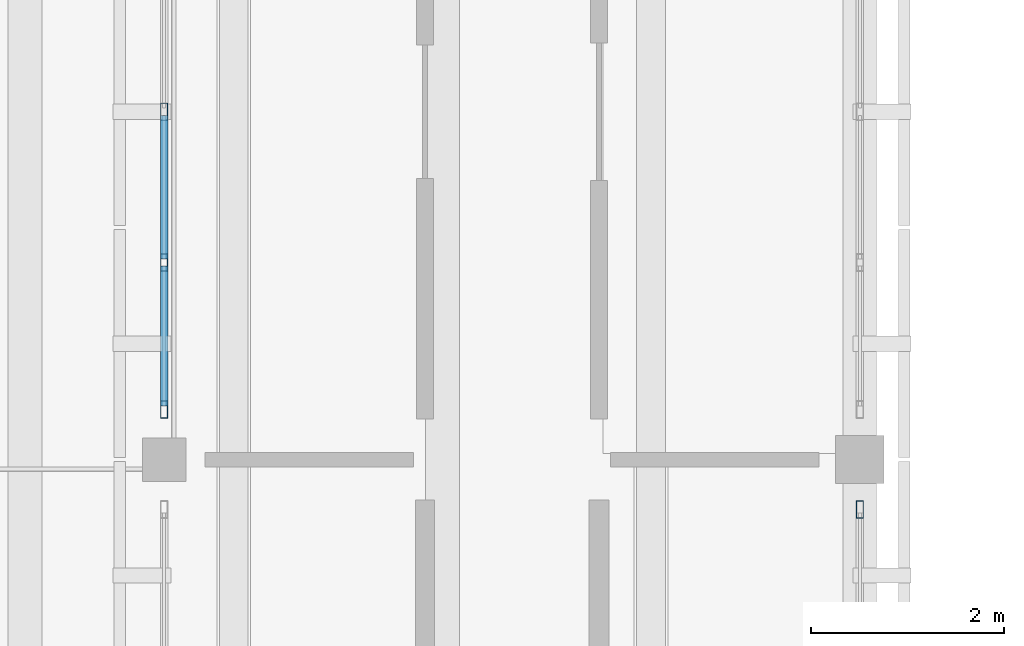
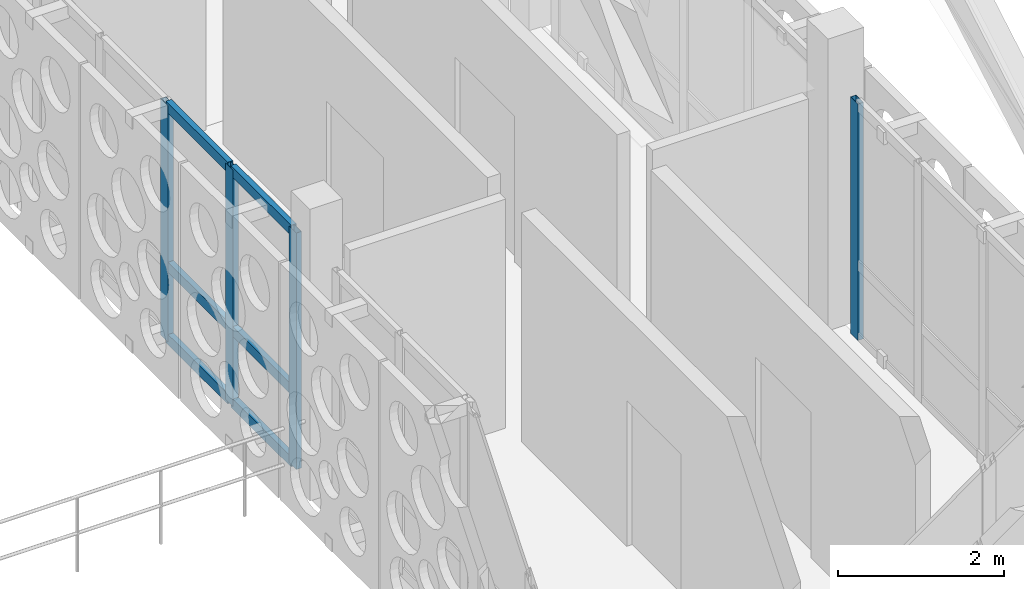
# One storey, part 43 of 171: 10 members, 2 elements without a shape of their own.
"""IFC4 building model written with IfcOpenShell, lengths in metres."""

from ifc_helpers import new_model, si_unit, direction, frame, origin, origin_2d, place, context, subcontext, project, spatial, hollow_rectangle, extrude, material, material_profile, profile_set, type_object, element, aggregate, save


model = new_model("IFC4")

# Units and contexts
model_context = context("Model", 3, precision=1e-05, world=origin(), true_north=direction((0.0, 1.0)))
body_context = subcontext(model_context, "Body", "Model", "MODEL_VIEW")
ifc_project = project(units=[si_unit("LENGTHUNIT", "METRE"), si_unit("AREAUNIT", "SQUARE_METRE"), si_unit("VOLUMEUNIT", "CUBIC_METRE"), si_unit("PLANEANGLEUNIT", "RADIAN"), si_unit("MASSUNIT", "GRAM", prefix="KILO")], contexts=[model_context])

# Site, building, storey
site_placement = place(None, origin())
site = spatial("IfcSite", under=ifc_project, at=site_placement, CompositionType="ELEMENT")
building_placement = place(site_placement, origin())
building = spatial("IfcBuilding", under=site, at=building_placement, Name="Aldebral Square Health Centre", CompositionType="ELEMENT")
storey_placement = place(building_placement, frame((0.0, 0.0, 4.5)))
storey = spatial("IfcBuildingStorey", under=building, at=storey_placement, Name="L01", CompositionType="ELEMENT", Elevation=4.5)

# Curtain wall, member
ifc_material_1 = material(Name="Aluminium and low-E solar glass", Category="aluminium")
curtain_wall_type = type_object("IfcCurtainWallType", Name="CW-HALL-SYS", PredefinedType="USERDEFINED", material=ifc_material_1)
curtain_wall_1_placement = place(storey_placement, origin())
curtain_wall_1 = element("IfcCurtainWall", 1, at=curtain_wall_1_placement, inside=storey, type_object=curtain_wall_type, Name="L01 V1 hall curtain wall L01-V1-14-10-E", ObjectType="HALL_CURTAIN_WALL", PredefinedType="USERDEFINED")
ifc_material_2 = material(Name="Anodised aluminium mullion", Category="aluminium")
ifc_material_profile_1 = material_profile(ifc_material_2, hollow_rectangle(XDim=0.074951171875, YDim=0.179931640625, WallThickness=0.00390625, at=origin_2d()), Name="CWM 75x180x4")
ifc_profile_set_1 = profile_set([ifc_material_profile_1], Name="Anodised aluminium mullion")
member_type_1 = type_object("IfcMemberType", Name="CWM-STD", PredefinedType="MULLION", material=ifc_profile_set_1)
member_1_placement = place(storey_placement, frame((108.0, 78.6826171875, 0.0), z_axis=(0.0, 0.0, 1.0), x_axis=(-1.0, 0.0, 0.0)))
member_1 = element("IfcMember", 2, at=member_1_placement, type_object=member_type_1, Name="CW2 mullion 5", PredefinedType="MULLION", context=body_context, shape_type="SweptSolid", body=[
    extrude(hollow_rectangle(XDim=0.074951171875, YDim=0.179931640625, WallThickness=0.00390625, at=origin_2d()), origin(), (0.0, 0.0, 1.0), 3.469970703125),
])
aggregate(curtain_wall_1, [member_1])

# Curtain wall, members
curtain_wall_2_placement = place(storey_placement, origin())
curtain_wall_2 = element("IfcCurtainWall", 3, at=curtain_wall_2_placement, inside=storey, type_object=curtain_wall_type, Name="L01 V1 hall curtain wall L01-V1-14-11-W", ObjectType="HALL_CURTAIN_WALL", PredefinedType="USERDEFINED")
member_2_placement = place(storey_placement, frame((100.800048828125, 82.800048828125, 0.0), z_axis=(0.0, 0.0, 1.0), x_axis=(1.0, 0.0, 0.0)))
member_2 = element("IfcMember", 4, at=member_2_placement, type_object=member_type_1, Name="CW2 mullion 3", PredefinedType="MULLION", context=body_context, shape_type="SweptSolid", body=[
    extrude(hollow_rectangle(XDim=0.074951171875, YDim=0.179931640625, WallThickness=0.00390625, at=origin_2d()), origin(), (0.0, 0.0, 1.0), 3.469970703125),
])
member_3_placement = place(storey_placement, frame((100.800048828125, 81.239990234375, 0.0), z_axis=(0.0, 0.0, 1.0), x_axis=(1.0, 0.0, 0.0)))
member_3 = element("IfcMember", 5, at=member_3_placement, type_object=member_type_1, Name="CW2 mullion 4", PredefinedType="MULLION", context=body_context, shape_type="SweptSolid", body=[
    extrude(hollow_rectangle(XDim=0.074951171875, YDim=0.179931640625, WallThickness=0.00390625, at=origin_2d()), origin(), (0.0, 0.0, 1.0), 3.469970703125),
])
member_4_placement = place(storey_placement, frame((100.800048828125, 79.717529296875, 0.0), z_axis=(0.0, 0.0, 1.0), x_axis=(1.0, 0.0, 0.0)))
member_4 = element("IfcMember", 6, at=member_4_placement, type_object=member_type_1, Name="CW2 mullion 5", PredefinedType="MULLION", context=body_context, shape_type="SweptSolid", body=[
    extrude(hollow_rectangle(XDim=0.074951171875, YDim=0.179931640625, WallThickness=0.00390625, at=origin_2d()), origin(), (0.0, 0.0, 1.0), 3.469970703125),
])
ifc_material_3 = material(Name="Anodised aluminium transom", Category="aluminium")
ifc_material_profile_2 = material_profile(ifc_material_3, hollow_rectangle(XDim=0.074951171875, YDim=0.14990234375, WallThickness=0.00390625, at=origin_2d()), Name="CWT 75x150x4")
ifc_profile_set_2 = profile_set([ifc_material_profile_2], Name="Anodised aluminium transom")
member_type_2 = type_object("IfcMemberType", Name="CWT-STD", PredefinedType="USERDEFINED", material=ifc_profile_set_2)
member_5_placement = place(storey_placement, frame((100.800048828125, 82.762451171875, 0.03759765625), z_axis=(0.0, -1.0, 0.0), x_axis=(1.0, 0.0, 0.0)))
member_5 = element("IfcMember", 7, at=member_5_placement, type_object=member_type_2, Name="CW2 transom 3.1", ObjectType="TRANSOM", PredefinedType="USERDEFINED", context=body_context, shape_type="SweptSolid", body=[
    extrude(hollow_rectangle(XDim=0.074951171875, YDim=0.14990234375, WallThickness=0.00390625, at=origin_2d()), origin(), (0.0, 0.0, 1.0), 1.48486328125),
])
member_6_placement = place(storey_placement, frame((100.800048828125, 82.762451171875, 1.10009765625), z_axis=(0.0, -1.0, 0.0), x_axis=(1.0, 0.0, 0.0)))
member_6 = element("IfcMember", 8, at=member_6_placement, type_object=member_type_2, Name="CW2 transom 3.2", ObjectType="TRANSOM", PredefinedType="USERDEFINED", context=body_context, shape_type="SweptSolid", body=[
    extrude(hollow_rectangle(XDim=0.074951171875, YDim=0.14990234375, WallThickness=0.00390625, at=origin_2d()), origin(), (0.0, 0.0, 1.0), 1.48486328125),
])
member_7_placement = place(storey_placement, frame((100.800048828125, 82.762451171875, 3.4326171875), z_axis=(0.0, -1.0, 0.0), x_axis=(1.0, 0.0, 0.0)))
member_7 = element("IfcMember", 9, at=member_7_placement, type_object=member_type_2, Name="CW2 transom 3.3", ObjectType="TRANSOM", PredefinedType="USERDEFINED", context=body_context, shape_type="SweptSolid", body=[
    extrude(hollow_rectangle(XDim=0.074951171875, YDim=0.14990234375, WallThickness=0.00390625, at=origin_2d()), origin(), (0.0, 0.0, 1.0), 1.48486328125),
])
member_8_placement = place(storey_placement, frame((100.800048828125, 81.202392578125, 0.03759765625), z_axis=(0.0, -1.0, 0.0), x_axis=(1.0, 0.0, 0.0)))
member_8 = element("IfcMember", 10, at=member_8_placement, type_object=member_type_2, Name="CW2 transom 4.1", ObjectType="TRANSOM", PredefinedType="USERDEFINED", context=body_context, shape_type="SweptSolid", body=[
    extrude(hollow_rectangle(XDim=0.074951171875, YDim=0.14990234375, WallThickness=0.00390625, at=origin_2d()), origin(), (0.0, 0.0, 1.0), 1.447509765625),
])
member_9_placement = place(storey_placement, frame((100.800048828125, 81.202392578125, 1.10009765625), z_axis=(0.0, -1.0, 0.0), x_axis=(1.0, 0.0, 0.0)))
member_9 = element("IfcMember", 11, at=member_9_placement, type_object=member_type_2, Name="CW2 transom 4.2", ObjectType="TRANSOM", PredefinedType="USERDEFINED", context=body_context, shape_type="SweptSolid", body=[
    extrude(hollow_rectangle(XDim=0.074951171875, YDim=0.14990234375, WallThickness=0.00390625, at=origin_2d()), origin(), (0.0, 0.0, 1.0), 1.447509765625),
])
member_10_placement = place(storey_placement, frame((100.800048828125, 81.202392578125, 3.4326171875), z_axis=(0.0, -1.0, 0.0), x_axis=(1.0, 0.0, 0.0)))
member_10 = element("IfcMember", 12, at=member_10_placement, type_object=member_type_2, Name="CW2 transom 4.3", ObjectType="TRANSOM", PredefinedType="USERDEFINED", context=body_context, shape_type="SweptSolid", body=[
    extrude(hollow_rectangle(XDim=0.074951171875, YDim=0.14990234375, WallThickness=0.00390625, at=origin_2d()), origin(), (0.0, 0.0, 1.0), 1.447509765625),
])
aggregate(curtain_wall_2, [member_2, member_3, member_4, member_5, member_6, member_7, member_8, member_9, member_10])

save(model, "model.ifc")
